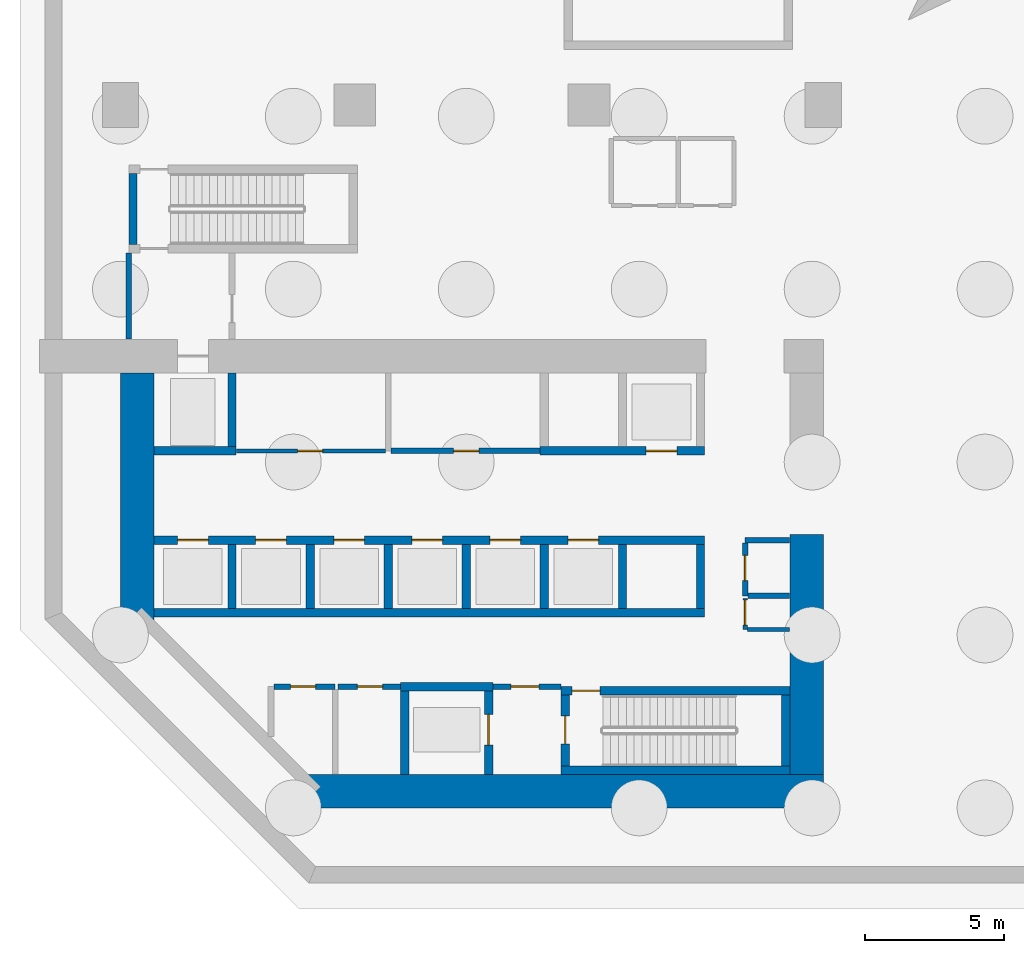
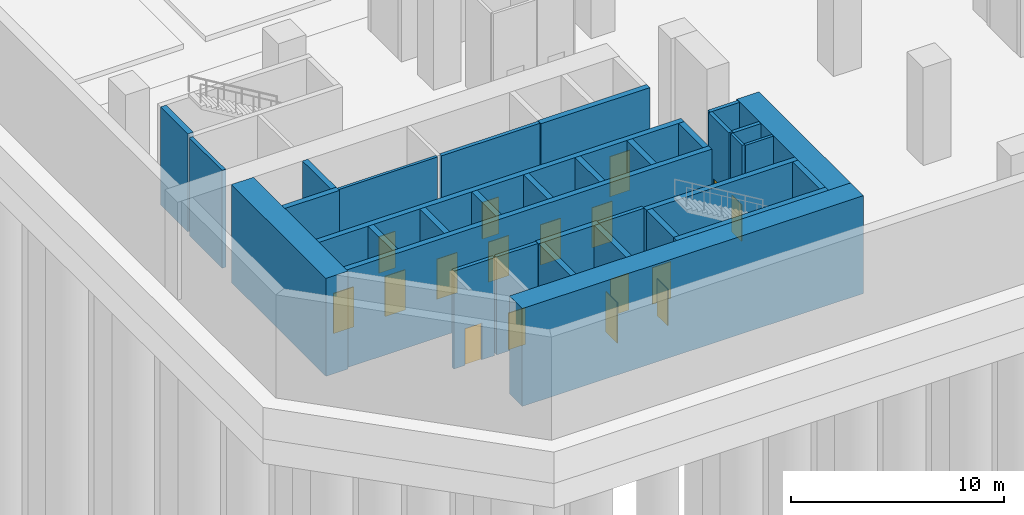
# One storey, part 2 of 6: 34 walls, 17 doors, 17 openings.
"""IFC4 building model written with IfcOpenShell, lengths in metres."""

from ifc_helpers import new_model, si_unit, direction, frame, frame_2d, origin, place, context, subcontext, project, spatial, rectangle, extrude, material, layer, layer_set, type_object, element, fill, save


model = new_model("IFC4")

# Units and contexts
model_context = context("Model", 3, precision=1e-05, world=origin(), true_north=direction((0.0, 1.0)))
body_context = subcontext(model_context, "Body", "Model", "MODEL_VIEW")
ifc_project = project(units=[si_unit("LENGTHUNIT", "METRE"), si_unit("AREAUNIT", "SQUARE_METRE"), si_unit("VOLUMEUNIT", "CUBIC_METRE"), si_unit("PLANEANGLEUNIT", "RADIAN"), si_unit("MASSUNIT", "GRAM", prefix="KILO")], contexts=[model_context])

# Site, building, storey
site_placement = place(None, origin())
site = spatial("IfcSite", under=ifc_project, at=site_placement, CompositionType="ELEMENT")
building_placement = place(site_placement, origin())
building = spatial("IfcBuilding", under=site, at=building_placement, Name="Brevane Broadcast Tower", CompositionType="ELEMENT")
storey_placement = place(building_placement, frame((0.0, 0.0, -6.0)))
storey = spatial("IfcBuildingStorey", under=building, at=storey_placement, Name="B1", CompositionType="ELEMENT", Elevation=-6.0)

# Wall, opening, door
ifc_material_1 = material(Name="Gypsum board on steel studs", Category="steel")
ifc_layer_1 = layer(ifc_material_1, 0.14990234375)
ifc_layer_set_1 = layer_set([ifc_layer_1], Name="Core fire partition 150 mm")
wall_type_1 = type_object("IfcWallType", Name="Core fire partition 150 mm", PredefinedType="PARTITIONING", material=ifc_layer_set_1)
wall_1_placement = place(storey_placement, frame((4.162109375, 12.800048828125, 0.0), z_axis=(0.0, 0.0, 1.0), x_axis=(1.0, 0.0, 0.0)))
wall_1 = element("IfcWall", 1, at=wall_1_placement, inside=storey, type_object=wall_type_1, Name="B1 partition wall P13", PredefinedType="PARTITIONING", context=body_context, shape_type="SweptSolid", body=[
    extrude(rectangle(XDim=5.337890625, YDim=0.14990234375, at=frame_2d((2.6689453125, 0.0))), origin(), (0.0, 0.0, 1.0), 5.60009765625),
])
opening_1_placement = place(wall_1_placement, frame((2.18798828125, 0.0, 0.0)))
opening_1 = element("IfcOpeningElement", 2, at=opening_1_placement, cuts=wall_1, Name="Opening B1-K19", PredefinedType="OPENING", context=body_context, shape_type="SweptSolid", body=[
    extrude(rectangle(XDim=0.89990234375, YDim=2.10009765625, at=frame_2d((0.449951171875, 1.050048828125))), frame((0.0, 0.0849609375, 0.0), z_axis=(0.0, -1.0, 0.0), x_axis=(1.0, 0.0, 0.0)), (0.0, 0.0, 1.0), 0.169921875),
])
ifc_material_2 = material(Name="Steel", Category="steel")
door_type_1 = type_object("IfcDoorType", Name="Service room door 900 x 2100", OperationType="SINGLE_SWING_LEFT", PredefinedType="DOOR", material=ifc_material_2)
door_1_placement = place(opening_1_placement, origin())
door_1 = element("IfcDoor", 3, at=door_1_placement, inside=storey, type_object=door_type_1, Name="Door B1-K19", OperationType="SINGLE_SWING_LEFT", OverallHeight=2.10009765625, OverallWidth=0.89990234375, PredefinedType="DOOR", context=body_context, shape_type="SweptSolid", body=[
    extrude(rectangle(XDim=0.89990234375, YDim=2.10009765625, at=frame_2d((0.449951171875, 1.050048828125))), frame((0.0, 0.02490234375, 0.0), z_axis=(0.0, -1.0, 0.0), x_axis=(1.0, 0.0, 0.0)), (0.0, 0.0, 1.0), 0.050048828125),
])
fill(opening_1, door_1)

wall_2_placement = place(storey_placement, frame((22.39990234375, 7.5, 0.0), z_axis=(0.0, 0.0, 1.0), x_axis=(0.0, -1.0, 0.0)))
wall_2 = element("IfcWall", 4, at=wall_2_placement, inside=storey, type_object=wall_type_1, Name="B1 partition wall P21", PredefinedType="PARTITIONING", context=body_context, shape_type="SweptSolid", body=[
    extrude(rectangle(XDim=1.10009765625, YDim=0.14990234375, at=frame_2d((0.550048828125, 0.0))), origin(), (0.0, 0.0, 1.0), 5.60009765625),
])
opening_2_placement = place(wall_2_placement, frame((0.050048828125, 0.0, 0.0)))
opening_2 = element("IfcOpeningElement", 5, at=opening_2_placement, cuts=wall_2, Name="Opening B1-K17", PredefinedType="OPENING", context=body_context, shape_type="SweptSolid", body=[
    extrude(rectangle(XDim=0.89990234375, YDim=2.10009765625, at=frame_2d((0.449951171875, 1.050048828125))), frame((0.0, 0.0849609375, 0.0), z_axis=(0.0, -1.0, 0.0), x_axis=(1.0, 0.0, 0.0)), (0.0, 0.0, 1.0), 0.169921875),
])
door_2_placement = place(opening_2_placement, origin())
door_2 = element("IfcDoor", 6, at=door_2_placement, inside=storey, type_object=door_type_1, Name="Door B1-K17", OperationType="SINGLE_SWING_LEFT", OverallHeight=2.10009765625, OverallWidth=0.89990234375, PredefinedType="DOOR", context=body_context, shape_type="SweptSolid", body=[
    extrude(rectangle(XDim=0.89990234375, YDim=2.10009765625, at=frame_2d((0.449951171875, 1.050048828125))), frame((0.0, 0.02490234375, 0.0), z_axis=(0.0, -1.0, 0.0), x_axis=(1.0, 0.0, 0.0)), (0.0, 0.0, 1.0), 0.050048828125),
])
fill(opening_2, door_2)

# Walls
wall_3_placement = place(storey_placement, frame((22.47509765625, 6.39990234375, 0.0), z_axis=(0.0, 0.0, 1.0), x_axis=(1.0, 0.0, 0.0)))
element("IfcWall", 7, at=wall_3_placement, inside=storey, type_object=wall_type_1, Name="B1 partition wall P22", PredefinedType="PARTITIONING", context=body_context, shape_type="SweptSolid", body=[
    extrude(rectangle(XDim=1.512939453125, YDim=0.14990234375, at=frame_2d((0.75634765625, 0.0))), origin(), (0.0, 0.0, 1.0), 5.60009765625),
])
ifc_layer_2 = layer(ifc_material_1, 0.199951171875)
ifc_layer_set_2 = layer_set([ifc_layer_2], Name="Core fire partition 200 mm")
wall_type_2 = type_object("IfcWallType", Name="Core fire partition 200 mm", PredefinedType="PARTITIONING", material=ifc_layer_set_2)
wall_4_placement = place(storey_placement, frame((0.300048828125, 16.81201171875, 0.0), z_axis=(0.0, 0.0, 1.0), x_axis=(0.0, 1.0, 0.0)))
element("IfcWall", 8, at=wall_4_placement, inside=storey, type_object=wall_type_2, Name="B1 partition wall P01", PredefinedType="PARTITIONING", context=body_context, shape_type="SweptSolid", body=[
    extrude(rectangle(XDim=3.075927734375, YDim=0.199951171875, at=frame_2d((1.5380859375, 0.0))), origin(), (0.0, 0.0, 1.0), 5.60009765625),
])

# Wall, opening, door
wall_5_placement = place(storey_placement, frame((13.362060546875, 4.35009765625, 0.0), z_axis=(0.0, 0.0, 1.0), x_axis=(1.0, 0.0, 0.0)))
wall_5 = element("IfcWall", 9, at=wall_5_placement, inside=storey, type_object=wall_type_2, Name="B1 partition wall P03", PredefinedType="PARTITIONING", context=body_context, shape_type="SweptSolid", body=[
    extrude(rectangle(XDim=2.426025390625, YDim=0.199951171875, at=frame_2d((1.212890625, 0.0))), origin(), (0.0, 0.0, 1.0), 5.60009765625),
])
opening_3_placement = place(wall_5_placement, frame((0.637939453125, 0.0, 0.0)))
opening_3 = element("IfcOpeningElement", 10, at=opening_3_placement, cuts=wall_5, Name="Opening B1-K16", PredefinedType="OPENING", context=body_context, shape_type="SweptSolid", body=[
    extrude(rectangle(XDim=1.0, YDim=2.10009765625, at=frame_2d((0.5, 1.050048828125))), frame((0.0, 0.10986328125, 0.0), z_axis=(0.0, -1.0, 0.0), x_axis=(1.0, 0.0, 0.0)), (0.0, 0.0, 1.0), 0.219970703125),
])
door_type_2 = type_object("IfcDoorType", Name="Stair door 1000 x 2100", OperationType="SINGLE_SWING_LEFT", PredefinedType="DOOR", material=ifc_material_2)
door_3_placement = place(opening_3_placement, origin())
door_3 = element("IfcDoor", 11, at=door_3_placement, inside=storey, type_object=door_type_2, Name="Door B1-K16", OperationType="SINGLE_SWING_RIGHT", OverallHeight=2.10009765625, OverallWidth=1.0, PredefinedType="DOOR", context=body_context, shape_type="SweptSolid", body=[
    extrude(rectangle(XDim=1.0, YDim=2.10009765625, at=frame_2d((0.5, 1.050048828125))), frame((0.0, 0.02490234375, 0.0), z_axis=(0.0, -1.0, 0.0), x_axis=(1.0, 0.0, 0.0)), (0.0, 0.0, 1.0), 0.050048828125),
])
fill(opening_3, door_3)

wall_6_placement = place(storey_placement, frame((5.5, 4.35009765625, 0.0), z_axis=(0.0, 0.0, 1.0), x_axis=(1.0, 0.0, 0.0)))
wall_6 = element("IfcWall", 12, at=wall_6_placement, inside=storey, type_object=wall_type_2, Name="B1 partition wall P05", PredefinedType="PARTITIONING", context=body_context, shape_type="SweptSolid", body=[
    extrude(rectangle(XDim=2.199951171875, YDim=0.199951171875, at=frame_2d((1.10009765625, 0.0))), origin(), (0.0, 0.0, 1.0), 5.60009765625),
])
opening_4_placement = place(wall_6_placement, frame((0.60009765625, 0.0, 0.0)))
opening_4 = element("IfcOpeningElement", 13, at=opening_4_placement, cuts=wall_6, Name="Opening B1-K14", PredefinedType="OPENING", context=body_context, shape_type="SweptSolid", body=[
    extrude(rectangle(XDim=0.89990234375, YDim=2.10009765625, at=frame_2d((0.449951171875, 1.050048828125))), frame((0.0, 0.10986328125, 0.0), z_axis=(0.0, -1.0, 0.0), x_axis=(1.0, 0.0, 0.0)), (0.0, 0.0, 1.0), 0.219970703125),
])
door_4_placement = place(opening_4_placement, origin())
door_4 = element("IfcDoor", 14, at=door_4_placement, inside=storey, type_object=door_type_1, Name="Door B1-K14", OperationType="SINGLE_SWING_RIGHT", OverallHeight=2.10009765625, OverallWidth=0.89990234375, PredefinedType="DOOR", context=body_context, shape_type="SweptSolid", body=[
    extrude(rectangle(XDim=0.89990234375, YDim=2.10009765625, at=frame_2d((0.449951171875, 1.050048828125))), frame((0.0, 0.02490234375, 0.0), z_axis=(0.0, -1.0, 0.0), x_axis=(1.0, 0.0, 0.0)), (0.0, 0.0, 1.0), 0.050048828125),
])
fill(opening_4, door_4)

wall_7_placement = place(storey_placement, frame((10.0380859375, 4.35009765625, 0.0), z_axis=(0.0, 0.0, 1.0), x_axis=(-1.0, 0.0, 0.0)))
wall_7 = element("IfcWall", 15, at=wall_7_placement, inside=storey, type_object=wall_type_2, Name="B1 partition wall P07", PredefinedType="PARTITIONING", context=body_context, shape_type="SweptSolid", body=[
    extrude(rectangle(XDim=2.238037109375, YDim=0.199951171875, at=frame_2d((1.119140625, 0.0))), origin(), (0.0, 0.0, 1.0), 5.60009765625),
])
opening_5_placement = place(wall_7_placement, frame((0.637939453125, 0.0, 0.0)))
opening_5 = element("IfcOpeningElement", 16, at=opening_5_placement, cuts=wall_7, Name="Opening B1-K15", PredefinedType="OPENING", context=body_context, shape_type="SweptSolid", body=[
    extrude(rectangle(XDim=0.89990234375, YDim=2.10009765625, at=frame_2d((0.449951171875, 1.050048828125))), frame((0.0, 0.10986328125, 0.0), z_axis=(0.0, -1.0, 0.0), x_axis=(1.0, 0.0, 0.0)), (0.0, 0.0, 1.0), 0.219970703125),
])
door_5_placement = place(opening_5_placement, origin())
door_5 = element("IfcDoor", 17, at=door_5_placement, inside=storey, type_object=door_type_1, Name="Door B1-K15", OperationType="SINGLE_SWING_LEFT", OverallHeight=2.10009765625, OverallWidth=0.89990234375, PredefinedType="DOOR", context=body_context, shape_type="SweptSolid", body=[
    extrude(rectangle(XDim=0.89990234375, YDim=2.10009765625, at=frame_2d((0.449951171875, 1.050048828125))), frame((0.0, 0.02490234375, 0.0), z_axis=(0.0, -1.0, 0.0), x_axis=(1.0, 0.0, 0.0)), (0.0, 0.0, 1.0), 0.050048828125),
])
fill(opening_5, door_5)

wall_8_placement = place(storey_placement, frame((9.699951171875, 12.800048828125, 0.0), z_axis=(0.0, 0.0, 1.0), x_axis=(1.0, 0.0, 0.0)))
wall_8 = element("IfcWall", 18, at=wall_8_placement, inside=storey, type_object=wall_type_2, Name="B1 partition wall P09", PredefinedType="PARTITIONING", context=body_context, shape_type="SweptSolid", body=[
    extrude(rectangle(XDim=5.338134765625, YDim=0.199951171875, at=frame_2d((2.6689453125, 0.0))), origin(), (0.0, 0.0, 1.0), 5.60009765625),
])
opening_6_placement = place(wall_8_placement, frame((2.25, 0.0, 0.0)))
opening_6 = element("IfcOpeningElement", 19, at=opening_6_placement, cuts=wall_8, Name="Opening B1-K20", PredefinedType="OPENING", context=body_context, shape_type="SweptSolid", body=[
    extrude(rectangle(XDim=0.89990234375, YDim=2.10009765625, at=frame_2d((0.449951171875, 1.050048828125))), frame((0.0, 0.10986328125, 0.0), z_axis=(0.0, -1.0, 0.0), x_axis=(1.0, 0.0, 0.0)), (0.0, 0.0, 1.0), 0.219970703125),
])
door_6_placement = place(opening_6_placement, origin())
door_6 = element("IfcDoor", 20, at=door_6_placement, inside=storey, type_object=door_type_1, Name="Door B1-K20", OperationType="SINGLE_SWING_RIGHT", OverallHeight=2.10009765625, OverallWidth=0.89990234375, PredefinedType="DOOR", context=body_context, shape_type="SweptSolid", body=[
    extrude(rectangle(XDim=0.89990234375, YDim=2.10009765625, at=frame_2d((0.449951171875, 1.050048828125))), frame((0.0, 0.02490234375, 0.0), z_axis=(0.0, -1.0, 0.0), x_axis=(1.0, 0.0, 0.0)), (0.0, 0.0, 1.0), 0.050048828125),
])
fill(opening_6, door_6)

# Wall
wall_9_placement = place(storey_placement, frame((23.988037109375, 9.60009765625, 0.0), z_axis=(0.0, 0.0, 1.0), x_axis=(-1.0, 0.0, 0.0)))
element("IfcWall", 21, at=wall_9_placement, inside=storey, type_object=wall_type_2, Name="B1 partition wall P10", PredefinedType="PARTITIONING", context=body_context, shape_type="SweptSolid", body=[
    extrude(rectangle(XDim=1.588134765625, YDim=0.199951171875, at=frame_2d((0.7939453125, 0.0))), origin(), (0.0, 0.0, 1.0), 5.60009765625),
])

# Wall, opening, door
wall_10_placement = place(storey_placement, frame((22.39990234375, 9.5, 0.0), z_axis=(0.0, 0.0, 1.0), x_axis=(0.0, -1.0, 0.0)))
wall_10 = element("IfcWall", 22, at=wall_10_placement, inside=storey, type_object=wall_type_2, Name="B1 partition wall P11", PredefinedType="PARTITIONING", context=body_context, shape_type="SweptSolid", body=[
    extrude(rectangle(XDim=1.89990234375, YDim=0.199951171875, at=frame_2d((0.949951171875, 0.0))), origin(), (0.0, 0.0, 1.0), 5.60009765625),
])
opening_7_placement = place(wall_10_placement, frame((0.449951171875, 0.0, 0.0)))
opening_7 = element("IfcOpeningElement", 23, at=opening_7_placement, cuts=wall_10, Name="Opening B1-K18", PredefinedType="OPENING", context=body_context, shape_type="SweptSolid", body=[
    extrude(rectangle(XDim=0.89990234375, YDim=2.10009765625, at=frame_2d((0.449951171875, 1.050048828125))), frame((0.0, 0.10986328125, 0.0), z_axis=(0.0, -1.0, 0.0), x_axis=(1.0, 0.0, 0.0)), (0.0, 0.0, 1.0), 0.219970703125),
])
door_7_placement = place(opening_7_placement, origin())
door_7 = element("IfcDoor", 24, at=door_7_placement, inside=storey, type_object=door_type_1, Name="Door B1-K18", OperationType="SINGLE_SWING_RIGHT", OverallHeight=2.10009765625, OverallWidth=0.89990234375, PredefinedType="DOOR", context=body_context, shape_type="SweptSolid", body=[
    extrude(rectangle(XDim=0.89990234375, YDim=2.10009765625, at=frame_2d((0.449951171875, 1.050048828125))), frame((0.0, 0.02490234375, 0.0), z_axis=(0.0, -1.0, 0.0), x_axis=(1.0, 0.0, 0.0)), (0.0, 0.0, 1.0), 0.050048828125),
])
fill(opening_7, door_7)

# Walls
wall_11_placement = place(storey_placement, frame((22.5, 7.60009765625, 0.0), z_axis=(0.0, 0.0, 1.0), x_axis=(1.0, 0.0, 0.0)))
element("IfcWall", 25, at=wall_11_placement, inside=storey, type_object=wall_type_2, Name="B1 partition wall P12", PredefinedType="PARTITIONING", context=body_context, shape_type="SweptSolid", body=[
    extrude(rectangle(XDim=1.488037109375, YDim=0.199951171875, at=frame_2d((0.744140625, 0.0))), origin(), (0.0, 0.0, 1.0), 5.60009765625),
])
ifc_material_3 = material(Name="Concrete C80/95", Category="concrete")
ifc_layer_3 = layer(ifc_material_3, 1.199951171875)
ifc_layer_set_3 = layer_set([ifc_layer_3], Name="Core wall 1200 mm C80/95")
wall_type_3 = type_object("IfcWallType", Name="Core wall 1200 mm C80/95", PredefinedType="SHEAR", material=ifc_layer_set_3)
wall_12_placement = place(storey_placement, frame((6.736328125, 0.60009765625, 0.0), z_axis=(0.0, 0.0, 1.0), x_axis=(1.0, 0.0, 0.0)))
element("IfcWall", 26, at=wall_12_placement, inside=storey, type_object=wall_type_3, Name="B1 outer wall WS", PredefinedType="SHEAR", context=body_context, shape_type="SweptSolid", body=[
    extrude(rectangle(XDim=18.463623046875, YDim=1.199951171875, at=frame_2d((9.23193359375, 0.0))), origin(), (0.0, 0.0, 1.0), 5.60009765625),
])
wall_13_placement = place(storey_placement, frame((0.60009765625, 6.736328125, 0.0), z_axis=(0.0, 0.0, 1.0), x_axis=(0.0, 1.0, 0.0)))
element("IfcWall", 27, at=wall_13_placement, inside=storey, type_object=wall_type_3, Name="B1 outer wall WW", PredefinedType="SHEAR", context=body_context, shape_type="SweptSolid", body=[
    extrude(rectangle(XDim=8.86376953125, YDim=1.199951171875, at=frame_2d((4.431884765625, 0.0))), origin(), (0.0, 0.0, 1.0), 5.60009765625),
])
wall_14_placement = place(storey_placement, frame((24.60009765625, 1.199951171875, 0.0), z_axis=(0.0, 0.0, 1.0), x_axis=(0.0, 1.0, 0.0)))
element("IfcWall", 28, at=wall_14_placement, inside=storey, type_object=wall_type_3, Name="B1 outer wall WE1", PredefinedType="SHEAR", context=body_context, shape_type="SweptSolid", body=[
    extrude(rectangle(XDim=8.60009765625, YDim=1.199951171875, at=frame_2d((4.300048828125, 0.0))), origin(), (0.0, 0.0, 1.0), 5.60009765625),
])
ifc_layer_4 = layer(ifc_material_3, 0.300048828125)
ifc_layer_set_4 = layer_set([ifc_layer_4], Name="Core wall 300 mm C80/95")
wall_type_4 = type_object("IfcWallType", Name="Core wall 300 mm C80/95", PredefinedType="SHEAR", material=ifc_layer_set_4)
wall_15_placement = place(storey_placement, frame((1.199951171875, 7.0, 0.0), z_axis=(0.0, 0.0, 1.0), x_axis=(1.0, 0.0, 0.0)))
element("IfcWall", 29, at=wall_15_placement, inside=storey, type_object=wall_type_4, Name="B1 shaft wall SH-S012-back", PredefinedType="SHEAR", context=body_context, shape_type="SweptSolid", body=[
    extrude(rectangle(XDim=19.75, YDim=0.300048828125, at=frame_2d((9.875, 0.0))), origin(), (0.0, 0.0, 1.0), 5.60009765625),
])

# Wall, openings, doors
wall_16_placement = place(storey_placement, frame((1.199951171875, 9.60009765625, 0.0), z_axis=(0.0, 0.0, 1.0), x_axis=(1.0, 0.0, 0.0)))
wall_16 = element("IfcWall", 30, at=wall_16_placement, inside=storey, type_object=wall_type_4, Name="B1 shaft wall SH-S012-front", PredefinedType="SHEAR", context=body_context, shape_type="SweptSolid", body=[
    extrude(rectangle(XDim=19.75, YDim=0.300048828125, at=frame_2d((9.875, 0.0))), origin(), (0.0, 0.0, 1.0), 5.60009765625),
])
opening_8_placement = place(wall_16_placement, frame((0.85009765625, 0.0, 0.0)))
opening_8 = element("IfcOpeningElement", 31, at=opening_8_placement, cuts=wall_16, Name="Opening LD", PredefinedType="OPENING", context=body_context, shape_type="SweptSolid", body=[
    extrude(rectangle(XDim=1.10009765625, YDim=2.300048828125, at=frame_2d((0.550048828125, 1.14990234375))), frame((0.0, 0.159912109375, 0.0), z_axis=(0.0, -1.0, 0.0), x_axis=(1.0, 0.0, 0.0)), (0.0, 0.0, 1.0), 0.320068359375),
])
opening_9_placement = place(wall_16_placement, frame((3.64990234375, 0.0, 0.0)))
opening_9 = element("IfcOpeningElement", 32, at=opening_9_placement, cuts=wall_16, Name="Opening LD", PredefinedType="OPENING", context=body_context, shape_type="SweptSolid", body=[
    extrude(rectangle(XDim=1.10009765625, YDim=2.300048828125, at=frame_2d((0.550048828125, 1.14990234375))), frame((0.0, 0.159912109375, 0.0), z_axis=(0.0, -1.0, 0.0), x_axis=(1.0, 0.0, 0.0)), (0.0, 0.0, 1.0), 0.320068359375),
])
opening_10_placement = place(wall_16_placement, frame((6.449951171875, 0.0, 0.0)))
opening_10 = element("IfcOpeningElement", 33, at=opening_10_placement, cuts=wall_16, Name="Opening LD", PredefinedType="OPENING", context=body_context, shape_type="SweptSolid", body=[
    extrude(rectangle(XDim=1.10009765625, YDim=2.300048828125, at=frame_2d((0.550048828125, 1.14990234375))), frame((0.0, 0.159912109375, 0.0), z_axis=(0.0, -1.0, 0.0), x_axis=(1.0, 0.0, 0.0)), (0.0, 0.0, 1.0), 0.320068359375),
])
opening_11_placement = place(wall_16_placement, frame((9.25, 0.0, 0.0)))
opening_11 = element("IfcOpeningElement", 34, at=opening_11_placement, cuts=wall_16, Name="Opening LD", PredefinedType="OPENING", context=body_context, shape_type="SweptSolid", body=[
    extrude(rectangle(XDim=1.10009765625, YDim=2.300048828125, at=frame_2d((0.550048828125, 1.14990234375))), frame((0.0, 0.159912109375, 0.0), z_axis=(0.0, -1.0, 0.0), x_axis=(1.0, 0.0, 0.0)), (0.0, 0.0, 1.0), 0.320068359375),
])
opening_12_placement = place(wall_16_placement, frame((12.050048828125, 0.0, 0.0)))
opening_12 = element("IfcOpeningElement", 35, at=opening_12_placement, cuts=wall_16, Name="Opening LD", PredefinedType="OPENING", context=body_context, shape_type="SweptSolid", body=[
    extrude(rectangle(XDim=1.10009765625, YDim=2.300048828125, at=frame_2d((0.550048828125, 1.14990234375))), frame((0.0, 0.159912109375, 0.0), z_axis=(0.0, -1.0, 0.0), x_axis=(1.0, 0.0, 0.0)), (0.0, 0.0, 1.0), 0.320068359375),
])
opening_13_placement = place(wall_16_placement, frame((14.85009765625, 0.0, 0.0)))
opening_13 = element("IfcOpeningElement", 36, at=opening_13_placement, cuts=wall_16, Name="Opening LD", PredefinedType="OPENING", context=body_context, shape_type="SweptSolid", body=[
    extrude(rectangle(XDim=1.10009765625, YDim=2.300048828125, at=frame_2d((0.550048828125, 1.14990234375))), frame((0.0, 0.159912109375, 0.0), z_axis=(0.0, -1.0, 0.0), x_axis=(1.0, 0.0, 0.0)), (0.0, 0.0, 1.0), 0.320068359375),
])
ifc_material_4 = material(Name="Stainless steel", Category="steel")
door_type_3 = type_object("IfcDoorType", Name="Lift landing door", OperationType="SLIDING_TO_LEFT", PredefinedType="DOOR", material=ifc_material_4)
door_8_placement = place(opening_8_placement, origin())
door_8 = element("IfcDoor", 37, at=door_8_placement, inside=storey, type_object=door_type_3, Name="Landing door LR1 B1", OperationType="SLIDING_TO_LEFT", OverallHeight=2.300048828125, OverallWidth=1.10009765625, PredefinedType="DOOR", context=body_context, shape_type="SweptSolid", body=[
    extrude(rectangle(XDim=1.10009765625, YDim=2.300048828125, at=frame_2d((0.550048828125, 1.14990234375))), frame((0.0, 0.02490234375, 0.0), z_axis=(0.0, -1.0, 0.0), x_axis=(1.0, 0.0, 0.0)), (0.0, 0.0, 1.0), 0.050048828125),
])
fill(opening_8, door_8)
door_9_placement = place(opening_9_placement, origin())
door_9 = element("IfcDoor", 38, at=door_9_placement, inside=storey, type_object=door_type_3, Name="Landing door LR2 B1", OperationType="SLIDING_TO_LEFT", OverallHeight=2.300048828125, OverallWidth=1.10009765625, PredefinedType="DOOR", context=body_context, shape_type="SweptSolid", body=[
    extrude(rectangle(XDim=1.10009765625, YDim=2.300048828125, at=frame_2d((0.550048828125, 1.14990234375))), frame((0.0, 0.02490234375, 0.0), z_axis=(0.0, -1.0, 0.0), x_axis=(1.0, 0.0, 0.0)), (0.0, 0.0, 1.0), 0.050048828125),
])
fill(opening_9, door_9)
door_10_placement = place(opening_10_placement, origin())
door_10 = element("IfcDoor", 39, at=door_10_placement, inside=storey, type_object=door_type_3, Name="Landing door LR3 B1", OperationType="SLIDING_TO_LEFT", OverallHeight=2.300048828125, OverallWidth=1.10009765625, PredefinedType="DOOR", context=body_context, shape_type="SweptSolid", body=[
    extrude(rectangle(XDim=1.10009765625, YDim=2.300048828125, at=frame_2d((0.550048828125, 1.14990234375))), frame((0.0, 0.02490234375, 0.0), z_axis=(0.0, -1.0, 0.0), x_axis=(1.0, 0.0, 0.0)), (0.0, 0.0, 1.0), 0.050048828125),
])
fill(opening_10, door_10)
door_11_placement = place(opening_11_placement, origin())
door_11 = element("IfcDoor", 40, at=door_11_placement, inside=storey, type_object=door_type_3, Name="Landing door LR4 B1", OperationType="SLIDING_TO_LEFT", OverallHeight=2.300048828125, OverallWidth=1.10009765625, PredefinedType="DOOR", context=body_context, shape_type="SweptSolid", body=[
    extrude(rectangle(XDim=1.10009765625, YDim=2.300048828125, at=frame_2d((0.550048828125, 1.14990234375))), frame((0.0, 0.02490234375, 0.0), z_axis=(0.0, -1.0, 0.0), x_axis=(1.0, 0.0, 0.0)), (0.0, 0.0, 1.0), 0.050048828125),
])
fill(opening_11, door_11)
door_12_placement = place(opening_12_placement, origin())
door_12 = element("IfcDoor", 41, at=door_12_placement, inside=storey, type_object=door_type_3, Name="Landing door LR5 B1", OperationType="SLIDING_TO_LEFT", OverallHeight=2.300048828125, OverallWidth=1.10009765625, PredefinedType="DOOR", context=body_context, shape_type="SweptSolid", body=[
    extrude(rectangle(XDim=1.10009765625, YDim=2.300048828125, at=frame_2d((0.550048828125, 1.14990234375))), frame((0.0, 0.02490234375, 0.0), z_axis=(0.0, -1.0, 0.0), x_axis=(1.0, 0.0, 0.0)), (0.0, 0.0, 1.0), 0.050048828125),
])
fill(opening_12, door_12)
door_13_placement = place(opening_13_placement, origin())
door_13 = element("IfcDoor", 42, at=door_13_placement, inside=storey, type_object=door_type_3, Name="Landing door LR6 B1", OperationType="SLIDING_TO_LEFT", OverallHeight=2.300048828125, OverallWidth=1.10009765625, PredefinedType="DOOR", context=body_context, shape_type="SweptSolid", body=[
    extrude(rectangle(XDim=1.10009765625, YDim=2.300048828125, at=frame_2d((0.550048828125, 1.14990234375))), frame((0.0, 0.02490234375, 0.0), z_axis=(0.0, -1.0, 0.0), x_axis=(1.0, 0.0, 0.0)), (0.0, 0.0, 1.0), 0.050048828125),
])
fill(opening_13, door_13)

# Walls
for number, where, z_axis, x_axis, name in (
    (43, (4.0, 7.14990234375, 0.0), (0.0, 0.0, 1.0), (0.0, 1.0, 0.0), "B1 shaft wall SH-S-P040"),
    (44, (6.800048828125, 7.14990234375, 0.0), (0.0, 0.0, 1.0), (0.0, 1.0, 0.0), "B1 shaft wall SH-S-P068"),
    (45, (9.60009765625, 7.14990234375, 0.0), (0.0, 0.0, 1.0), (0.0, 1.0, 0.0), "B1 shaft wall SH-S-P096"),
    (46, (12.39990234375, 7.14990234375, 0.0), (0.0, 0.0, 1.0), (0.0, 1.0, 0.0), "B1 shaft wall SH-S-P124"),
    (47, (15.199951171875, 7.14990234375, 0.0), (0.0, 0.0, 1.0), (0.0, 1.0, 0.0), "B1 shaft wall SH-S-P152"),
    (48, (18.0, 7.14990234375, 0.0), (0.0, 0.0, 1.0), (0.0, 1.0, 0.0), "B1 shaft wall SH-S-P180"),
    (49, (20.800048828125, 7.14990234375, 0.0), (0.0, 0.0, 1.0), (0.0, 1.0, 0.0), "B1 shaft wall SH-S-P208"),
):
    element("IfcWall", number, at=place(storey_placement, frame(where, z_axis=z_axis, x_axis=x_axis)), inside=storey, type_object=wall_type_4, Name=name, PredefinedType="SHEAR", context=body_context, shape_type="SweptSolid", body=[
        extrude(rectangle(XDim=2.300048828125, YDim=0.300048828125, at=frame_2d((1.14990234375, 0.0))), origin(), (0.0, 0.0, 1.0), 5.60009765625),
    ])
wall_17_placement = place(storey_placement, frame((1.199951171875, 12.800048828125, 0.0), z_axis=(0.0, 0.0, 1.0), x_axis=(1.0, 0.0, 0.0)))
element("IfcWall", 50, at=wall_17_placement, inside=storey, type_object=wall_type_4, Name="B1 shaft wall SH-N012-front", PredefinedType="SHEAR", context=body_context, shape_type="SweptSolid", body=[
    extrude(rectangle(XDim=2.949951171875, YDim=0.300048828125, at=frame_2d((1.47509765625, 0.0))), origin(), (0.0, 0.0, 1.0), 5.60009765625),
])
wall_18_placement = place(storey_placement, frame((4.0, 12.949951171875, 0.0), z_axis=(0.0, 0.0, 1.0), x_axis=(0.0, 1.0, 0.0)))
element("IfcWall", 51, at=wall_18_placement, inside=storey, type_object=wall_type_4, Name="B1 shaft wall SH-N-P040", PredefinedType="SHEAR", context=body_context, shape_type="SweptSolid", body=[
    extrude(rectangle(XDim=2.650146484375, YDim=0.300048828125, at=frame_2d((1.3251953125, 0.0))), origin(), (0.0, 0.0, 1.0), 5.60009765625),
])

# Wall, opening, door
wall_19_placement = place(storey_placement, frame((15.050048828125, 12.800048828125, 0.0), z_axis=(0.0, 0.0, 1.0), x_axis=(1.0, 0.0, 0.0)))
wall_19 = element("IfcWall", 52, at=wall_19_placement, inside=storey, type_object=wall_type_4, Name="B1 shaft wall SH-N152-front", PredefinedType="SHEAR", context=body_context, shape_type="SweptSolid", body=[
    extrude(rectangle(XDim=5.89990234375, YDim=0.300048828125, at=frame_2d((2.949951171875, 0.0))), origin(), (0.0, 0.0, 1.0), 5.60009765625),
])
opening_14_placement = place(wall_19_placement, frame((3.800048828125, 0.0, 0.0)))
opening_14 = element("IfcOpeningElement", 53, at=opening_14_placement, cuts=wall_19, Name="Opening LD", PredefinedType="OPENING", context=body_context, shape_type="SweptSolid", body=[
    extrude(rectangle(XDim=1.10009765625, YDim=2.300048828125, at=frame_2d((0.550048828125, 1.14990234375))), frame((0.0, 0.159912109375, 0.0), z_axis=(0.0, -1.0, 0.0), x_axis=(1.0, 0.0, 0.0)), (0.0, 0.0, 1.0), 0.320068359375),
])
door_14_placement = place(opening_14_placement, origin())
door_14 = element("IfcDoor", 54, at=door_14_placement, inside=storey, type_object=door_type_3, Name="Landing door SL1 B1", OperationType="SLIDING_TO_LEFT", OverallHeight=2.300048828125, OverallWidth=1.10009765625, PredefinedType="DOOR", context=body_context, shape_type="SweptSolid", body=[
    extrude(rectangle(XDim=1.10009765625, YDim=2.300048828125, at=frame_2d((0.550048828125, 1.14990234375))), frame((0.0, 0.02490234375, 0.0), z_axis=(0.0, -1.0, 0.0), x_axis=(1.0, 0.0, 0.0)), (0.0, 0.0, 1.0), 0.050048828125),
])
fill(opening_14, door_14)

# Wall
wall_20_placement = place(storey_placement, frame((10.199951171875, 1.199951171875, 0.0), z_axis=(0.0, 0.0, 1.0), x_axis=(0.0, 1.0, 0.0)))
element("IfcWall", 55, at=wall_20_placement, inside=storey, type_object=wall_type_4, Name="B1 shaft wall FF2-W", PredefinedType="SHEAR", context=body_context, shape_type="SweptSolid", body=[
    extrude(rectangle(XDim=3.0, YDim=0.300048828125, at=frame_2d((1.5, 0.0))), origin(), (0.0, 0.0, 1.0), 5.60009765625),
])

# Wall, opening, door
wall_21_placement = place(storey_placement, frame((13.199951171875, 1.199951171875, 0.0), z_axis=(0.0, 0.0, 1.0), x_axis=(0.0, 1.0, 0.0)))
wall_21 = element("IfcWall", 56, at=wall_21_placement, inside=storey, type_object=wall_type_4, Name="B1 shaft wall FF2-E", PredefinedType="SHEAR", context=body_context, shape_type="SweptSolid", body=[
    extrude(rectangle(XDim=3.0, YDim=0.300048828125, at=frame_2d((1.5, 0.0))), origin(), (0.0, 0.0, 1.0), 5.60009765625),
])
opening_15_placement = place(wall_21_placement, frame((1.050048828125, 0.0, 0.0)))
opening_15 = element("IfcOpeningElement", 57, at=opening_15_placement, cuts=wall_21, Name="Opening LD", PredefinedType="OPENING", context=body_context, shape_type="SweptSolid", body=[
    extrude(rectangle(XDim=1.10009765625, YDim=2.300048828125, at=frame_2d((0.550048828125, 1.14990234375))), frame((0.0, 0.159912109375, 0.0), z_axis=(0.0, -1.0, 0.0), x_axis=(1.0, 0.0, 0.0)), (0.0, 0.0, 1.0), 0.320068359375),
])
door_15_placement = place(opening_15_placement, origin())
door_15 = element("IfcDoor", 58, at=door_15_placement, inside=storey, type_object=door_type_3, Name="Landing door FF2 B1", OperationType="SLIDING_TO_LEFT", OverallHeight=2.300048828125, OverallWidth=1.10009765625, PredefinedType="DOOR", context=body_context, shape_type="SweptSolid", body=[
    extrude(rectangle(XDim=1.10009765625, YDim=2.300048828125, at=frame_2d((0.550048828125, 1.14990234375))), frame((0.0, 0.02490234375, 0.0), z_axis=(0.0, -1.0, 0.0), x_axis=(1.0, 0.0, 0.0)), (0.0, 0.0, 1.0), 0.050048828125),
])
fill(opening_15, door_15)

# Walls
wall_22_placement = place(storey_placement, frame((10.050048828125, 4.35009765625, 0.0), z_axis=(0.0, 0.0, 1.0), x_axis=(1.0, 0.0, 0.0)))
element("IfcWall", 59, at=wall_22_placement, inside=storey, type_object=wall_type_4, Name="B1 shaft wall FF2-N", PredefinedType="SHEAR", context=body_context, shape_type="SweptSolid", body=[
    extrude(rectangle(XDim=3.300048828125, YDim=0.300048828125, at=frame_2d((1.64990234375, 0.0))), origin(), (0.0, 0.0, 1.0), 5.60009765625),
])
wall_23_placement = place(storey_placement, frame((0.449951171875, 20.199951171875, 0.0), z_axis=(0.0, 0.0, 1.0), x_axis=(0.0, 1.0, 0.0)))
element("IfcWall", 60, at=wall_23_placement, inside=storey, type_object=wall_type_4, Name="B1 stair wall ST-1-W", PredefinedType="SHEAR", context=body_context, shape_type="SweptSolid", body=[
    extrude(rectangle(XDim=2.550048828125, YDim=0.300048828125, at=frame_2d((1.27490234375, 0.0))), origin(), (0.0, 0.0, 1.0), 5.60009765625),
])
wall_24_placement = place(storey_placement, frame((15.800048828125, 1.35009765625, 0.0), z_axis=(0.0, 0.0, 1.0), x_axis=(1.0, 0.0, 0.0)))
element("IfcWall", 61, at=wall_24_placement, inside=storey, type_object=wall_type_4, Name="B1 stair wall ST-2-S", PredefinedType="SHEAR", context=body_context, shape_type="SweptSolid", body=[
    extrude(rectangle(XDim=8.199951171875, YDim=0.300048828125, at=frame_2d((4.10009765625, 0.0))), origin(), (0.0, 0.0, 1.0), 5.60009765625),
])

# Wall, opening, door
wall_25_placement = place(storey_placement, frame((15.800048828125, 4.199951171875, 0.0), z_axis=(0.0, 0.0, 1.0), x_axis=(1.0, 0.0, 0.0)))
wall_25 = element("IfcWall", 62, at=wall_25_placement, inside=storey, type_object=wall_type_4, Name="B1 stair wall ST-2-N", PredefinedType="SHEAR", context=body_context, shape_type="SweptSolid", body=[
    extrude(rectangle(XDim=8.199951171875, YDim=0.300048828125, at=frame_2d((4.10009765625, 0.0))), origin(), (0.0, 0.0, 1.0), 5.60009765625),
])
opening_16_placement = place(wall_25_placement, frame((0.39990234375, 0.0, 0.0)))
opening_16 = element("IfcOpeningElement", 63, at=opening_16_placement, cuts=wall_25, Name="Opening B1-K13", PredefinedType="OPENING", context=body_context, shape_type="SweptSolid", body=[
    extrude(rectangle(XDim=1.0, YDim=2.10009765625, at=frame_2d((0.5, 1.050048828125))), frame((0.0, 0.159912109375, 0.0), z_axis=(0.0, -1.0, 0.0), x_axis=(1.0, 0.0, 0.0)), (0.0, 0.0, 1.0), 0.320068359375),
])
door_16_placement = place(opening_16_placement, origin())
door_16 = element("IfcDoor", 64, at=door_16_placement, inside=storey, type_object=door_type_2, Name="Door B1-K13", OperationType="SINGLE_SWING_LEFT", OverallHeight=2.10009765625, OverallWidth=1.0, PredefinedType="DOOR", context=body_context, shape_type="SweptSolid", body=[
    extrude(rectangle(XDim=1.0, YDim=2.10009765625, at=frame_2d((0.5, 1.050048828125))), frame((0.0, 0.02490234375, 0.0), z_axis=(0.0, -1.0, 0.0), x_axis=(1.0, 0.0, 0.0)), (0.0, 0.0, 1.0), 0.050048828125),
])
fill(opening_16, door_16)

wall_26_placement = place(storey_placement, frame((15.949951171875, 1.5, 0.0), z_axis=(0.0, 0.0, 1.0), x_axis=(0.0, 1.0, 0.0)))
wall_26 = element("IfcWall", 65, at=wall_26_placement, inside=storey, type_object=wall_type_4, Name="B1 stair wall ST-2-W", PredefinedType="SHEAR", context=body_context, shape_type="SweptSolid", body=[
    extrude(rectangle(XDim=2.550048828125, YDim=0.300048828125, at=frame_2d((1.27490234375, 0.0))), origin(), (0.0, 0.0, 1.0), 5.60009765625),
])
opening_17_placement = place(wall_26_placement, frame((0.800048828125, 0.0, 0.0)))
opening_17 = element("IfcOpeningElement", 66, at=opening_17_placement, cuts=wall_26, Name="Opening B1-K12", PredefinedType="OPENING", context=body_context, shape_type="SweptSolid", body=[
    extrude(rectangle(XDim=1.0, YDim=2.10009765625, at=frame_2d((0.5, 1.050048828125))), frame((0.0, 0.159912109375, 0.0), z_axis=(0.0, -1.0, 0.0), x_axis=(1.0, 0.0, 0.0)), (0.0, 0.0, 1.0), 0.320068359375),
])
door_17_placement = place(opening_17_placement, origin())
door_17 = element("IfcDoor", 67, at=door_17_placement, inside=storey, type_object=door_type_2, Name="Door B1-K12", OperationType="SINGLE_SWING_RIGHT", OverallHeight=2.10009765625, OverallWidth=1.0, PredefinedType="DOOR", context=body_context, shape_type="SweptSolid", body=[
    extrude(rectangle(XDim=1.0, YDim=2.10009765625, at=frame_2d((0.5, 1.050048828125))), frame((0.0, 0.02490234375, 0.0), z_axis=(0.0, -1.0, 0.0), x_axis=(1.0, 0.0, 0.0)), (0.0, 0.0, 1.0), 0.050048828125),
])
fill(opening_17, door_17)

# Wall
wall_27_placement = place(storey_placement, frame((23.85009765625, 1.5, 0.0), z_axis=(0.0, 0.0, 1.0), x_axis=(0.0, 1.0, 0.0)))
element("IfcWall", 68, at=wall_27_placement, inside=storey, type_object=wall_type_4, Name="B1 stair wall ST-2-E", PredefinedType="SHEAR", context=body_context, shape_type="SweptSolid", body=[
    extrude(rectangle(XDim=2.550048828125, YDim=0.300048828125, at=frame_2d((1.27490234375, 0.0))), origin(), (0.0, 0.0, 1.0), 5.60009765625),
])

save(model, "model.ifc")
